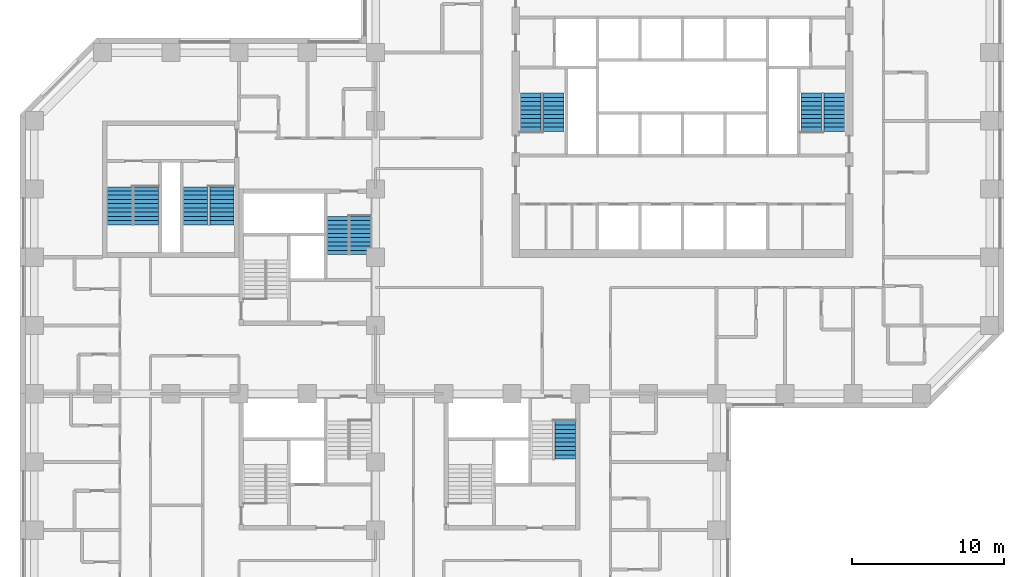
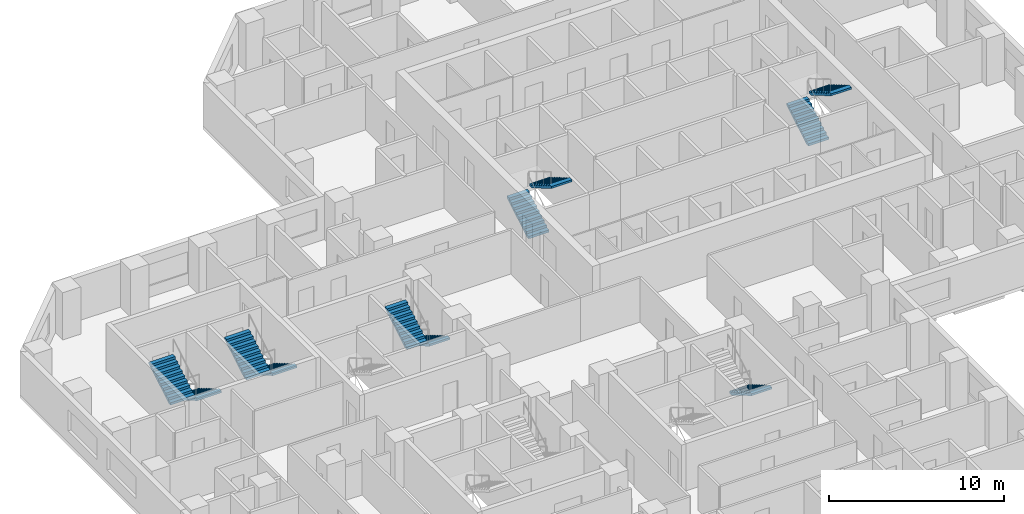
# One storey, part 11 of 12: 11 stair flights, 6 elements without a shape of their own.
"""IFC4 building model written with IfcOpenShell, lengths in metres."""

from ifc_helpers import new_model, si_unit, direction, frame, origin, place, context, subcontext, project, spatial, polyline, outline, extrude, material, type_object, element, aggregate, save


model = new_model("IFC4")

# Units and contexts
model_context = context("Model", 3, precision=1e-05, world=origin(), true_north=direction((0.0, 1.0)))
body_context = subcontext(model_context, "Body", "Model", "MODEL_VIEW")
ifc_project = project(units=[si_unit("LENGTHUNIT", "METRE"), si_unit("AREAUNIT", "SQUARE_METRE"), si_unit("VOLUMEUNIT", "CUBIC_METRE"), si_unit("PLANEANGLEUNIT", "RADIAN"), si_unit("MASSUNIT", "GRAM", prefix="KILO")], contexts=[model_context])

# Site, building, storey
site_placement = place(None, origin())
site = spatial("IfcSite", under=ifc_project, at=site_placement, CompositionType="ELEMENT")
building_placement = place(site_placement, origin())
building = spatial("IfcBuilding", under=site, at=building_placement, Name="Quoin Convention Tower", CompositionType="ELEMENT")
storey_placement = place(building_placement, frame((0.0, 0.0, 59.39990234375)))
storey = spatial("IfcBuildingStorey", under=building, at=storey_placement, Name="L15", CompositionType="ELEMENT", Elevation=59.39990234375)

# Stair, stair flights
ifc_material = material(Name="Concrete C40", Category="concrete")
stair_type_1 = type_object("IfcStairType", Name="Exit stair two-flight 1350", PredefinedType="HALF_TURN_STAIR", material=ifc_material)
stair_1_placement = place(storey_placement, origin())
stair_1 = element("IfcStair", 1, at=stair_1_placement, inside=storey, type_object=stair_type_1, Name="SD1 L15", PredefinedType="HALF_TURN_STAIR")
stair_flight_type_1 = type_object("IfcStairFlightType", Name="Stair flight 1350", PredefinedType="STRAIGHT", material=ifc_material)
stair_flight_1_placement = place(storey_placement, frame((46.25, 57.800048828125, 0.0), z_axis=(0.0, 0.0, 1.0), x_axis=(0.0, 1.0, 0.0)))
stair_flight_1 = element("IfcStairFlight", 2, at=stair_flight_1_placement, type_object=stair_flight_type_1, Name="ST1 flight 1", NumberOfRisers=10, NumberOfTreads=9, PredefinedType="STRAIGHT", RiserHeight=0.165, TreadLength=0.28, context=body_context, shape_type="SweptSolid", body=[
    extrude(outline(polyline([(0.0, 0.0), (0.0, 0.1650390625), (0.280029296875, 0.1650390625), (0.280029296875, 0.330078125), (0.56005859375, 0.330078125), (0.56005859375, 0.4951171875), (0.840087890625, 0.4951171875), (0.840087890625, 0.659912109375), (1.1201171875, 0.659912109375), (1.1201171875, 0.824951171875), (1.39990234375, 0.824951171875), (1.39990234375, 0.989990234375), (1.679931640625, 0.989990234375), (1.679931640625, 1.155029296875), (1.9599609375, 1.155029296875), (1.9599609375, 1.320068359375), (2.239990234375, 1.320068359375), (2.239990234375, 1.485107421875), (2.52001953125, 1.485107421875), (2.52001953125, 1.64990234375), (2.52001953125, 1.345458984375), (0.236572265625, 0.0), (0.0, 0.0)])), frame((0.0, 0.675048828125, 0.0), z_axis=(0.0, -1.0, 0.0), x_axis=(1.0, 0.0, 0.0)), (0.0, 0.0, 1.0), 1.35009765625),
])
stair_flight_2_placement = place(storey_placement, frame((47.75, 60.320068359375, 1.650146484375), z_axis=(0.0, 0.0, 1.0), x_axis=(0.0, -1.0, 0.0)))
stair_flight_2 = element("IfcStairFlight", 3, at=stair_flight_2_placement, type_object=stair_flight_type_1, Name="ST1 flight 2", NumberOfRisers=10, NumberOfTreads=9, PredefinedType="STRAIGHT", RiserHeight=0.165, TreadLength=0.28, context=body_context, shape_type="SweptSolid", body=[
    extrude(outline(polyline([(0.0, 0.0), (0.0, 0.1650390625), (0.280029296875, 0.1650390625), (0.280029296875, 0.330078125), (0.56005859375, 0.330078125), (0.56005859375, 0.4951171875), (0.840087890625, 0.4951171875), (0.840087890625, 0.659912109375), (1.1201171875, 0.659912109375), (1.1201171875, 0.824951171875), (1.39990234375, 0.824951171875), (1.39990234375, 0.989990234375), (1.679931640625, 0.989990234375), (1.679931640625, 1.155029296875), (1.9599609375, 1.155029296875), (1.9599609375, 1.320068359375), (2.239990234375, 1.320068359375), (2.239990234375, 1.485107421875), (2.52001953125, 1.485107421875), (2.52001953125, 1.64990234375), (2.52001953125, 1.345458984375), (0.236572265625, 0.0), (0.0, 0.0)])), frame((0.0, 0.675048828125, 0.0), z_axis=(0.0, -1.0, 0.0), x_axis=(1.0, 0.0, 0.0)), (0.0, 0.0, 1.0), 1.35009765625),
])
aggregate(stair_1, [stair_flight_1, stair_flight_2])

stair_2_placement = place(storey_placement, origin())
stair_2 = element("IfcStair", 4, at=stair_2_placement, inside=storey, type_object=stair_type_1, Name="SD2 L15", PredefinedType="HALF_TURN_STAIR")
stair_flight_3_placement = place(storey_placement, frame((64.75, 57.800048828125, 0.0), z_axis=(0.0, 0.0, 1.0), x_axis=(0.0, 1.0, 0.0)))
stair_flight_3 = element("IfcStairFlight", 5, at=stair_flight_3_placement, type_object=stair_flight_type_1, Name="ST2 flight 1", NumberOfRisers=10, NumberOfTreads=9, PredefinedType="STRAIGHT", RiserHeight=0.165, TreadLength=0.28, context=body_context, shape_type="SweptSolid", body=[
    extrude(outline(polyline([(0.0, 0.0), (0.0, 0.1650390625), (0.280029296875, 0.1650390625), (0.280029296875, 0.330078125), (0.56005859375, 0.330078125), (0.56005859375, 0.4951171875), (0.840087890625, 0.4951171875), (0.840087890625, 0.659912109375), (1.1201171875, 0.659912109375), (1.1201171875, 0.824951171875), (1.39990234375, 0.824951171875), (1.39990234375, 0.989990234375), (1.679931640625, 0.989990234375), (1.679931640625, 1.155029296875), (1.9599609375, 1.155029296875), (1.9599609375, 1.320068359375), (2.239990234375, 1.320068359375), (2.239990234375, 1.485107421875), (2.52001953125, 1.485107421875), (2.52001953125, 1.64990234375), (2.52001953125, 1.345458984375), (0.236572265625, 0.0), (0.0, 0.0)])), frame((0.0, 0.675048828125, 0.0), z_axis=(0.0, -1.0, 0.0), x_axis=(1.0, 0.0, 0.0)), (0.0, 0.0, 1.0), 1.35009765625),
])
stair_flight_4_placement = place(storey_placement, frame((66.25, 60.320068359375, 1.650146484375), z_axis=(0.0, 0.0, 1.0), x_axis=(0.0, -1.0, 0.0)))
stair_flight_4 = element("IfcStairFlight", 6, at=stair_flight_4_placement, type_object=stair_flight_type_1, Name="ST2 flight 2", NumberOfRisers=10, NumberOfTreads=9, PredefinedType="STRAIGHT", RiserHeight=0.165, TreadLength=0.28, context=body_context, shape_type="SweptSolid", body=[
    extrude(outline(polyline([(0.0, 0.0), (0.0, 0.1650390625), (0.280029296875, 0.1650390625), (0.280029296875, 0.330078125), (0.56005859375, 0.330078125), (0.56005859375, 0.4951171875), (0.840087890625, 0.4951171875), (0.840087890625, 0.659912109375), (1.1201171875, 0.659912109375), (1.1201171875, 0.824951171875), (1.39990234375, 0.824951171875), (1.39990234375, 0.989990234375), (1.679931640625, 0.989990234375), (1.679931640625, 1.155029296875), (1.9599609375, 1.155029296875), (1.9599609375, 1.320068359375), (2.239990234375, 1.320068359375), (2.239990234375, 1.485107421875), (2.52001953125, 1.485107421875), (2.52001953125, 1.64990234375), (2.52001953125, 1.345458984375), (0.236572265625, 0.0), (0.0, 0.0)])), frame((0.0, 0.675048828125, 0.0), z_axis=(0.0, -1.0, 0.0), x_axis=(1.0, 0.0, 0.0)), (0.0, 0.0, 1.0), 1.35009765625),
])
aggregate(stair_2, [stair_flight_3, stair_flight_4])

stair_3_placement = place(storey_placement, origin())
stair_3 = element("IfcStair", 7, at=stair_3_placement, inside=storey, type_object=stair_type_1, Name="SD4 L15", PredefinedType="HALF_TURN_STAIR")
stair_flight_5_placement = place(storey_placement, frame((35.0, 52.199951171875, 0.0), z_axis=(0.0, 0.0, 1.0), x_axis=(0.0, -1.0, 0.0)))
stair_flight_5 = element("IfcStairFlight", 8, at=stair_flight_5_placement, type_object=stair_flight_type_1, Name="ST4 flight 1", NumberOfRisers=10, NumberOfTreads=9, PredefinedType="STRAIGHT", RiserHeight=0.165, TreadLength=0.28, context=body_context, shape_type="SweptSolid", body=[
    extrude(outline(polyline([(0.0, 0.0), (0.0, 0.1650390625), (0.280029296875, 0.1650390625), (0.280029296875, 0.330078125), (0.56005859375, 0.330078125), (0.56005859375, 0.4951171875), (0.840087890625, 0.4951171875), (0.840087890625, 0.659912109375), (1.1201171875, 0.659912109375), (1.1201171875, 0.824951171875), (1.39990234375, 0.824951171875), (1.39990234375, 0.989990234375), (1.679931640625, 0.989990234375), (1.679931640625, 1.155029296875), (1.9599609375, 1.155029296875), (1.9599609375, 1.320068359375), (2.239990234375, 1.320068359375), (2.239990234375, 1.485107421875), (2.52001953125, 1.485107421875), (2.52001953125, 1.64990234375), (2.52001953125, 1.345458984375), (0.236572265625, 0.0), (0.0, 0.0)])), frame((0.0, 0.675048828125, 0.0), z_axis=(0.0, -1.0, 0.0), x_axis=(1.0, 0.0, 0.0)), (0.0, 0.0, 1.0), 1.35009765625),
])
stair_flight_6_placement = place(storey_placement, frame((33.5, 49.679931640625, 1.650146484375), z_axis=(0.0, 0.0, 1.0), x_axis=(0.0, 1.0, 0.0)))
stair_flight_6 = element("IfcStairFlight", 9, at=stair_flight_6_placement, type_object=stair_flight_type_1, Name="ST4 flight 2", NumberOfRisers=10, NumberOfTreads=9, PredefinedType="STRAIGHT", RiserHeight=0.165, TreadLength=0.28, context=body_context, shape_type="SweptSolid", body=[
    extrude(outline(polyline([(0.0, 0.0), (0.0, 0.1650390625), (0.280029296875, 0.1650390625), (0.280029296875, 0.330078125), (0.56005859375, 0.330078125), (0.56005859375, 0.4951171875), (0.840087890625, 0.4951171875), (0.840087890625, 0.659912109375), (1.1201171875, 0.659912109375), (1.1201171875, 0.824951171875), (1.39990234375, 0.824951171875), (1.39990234375, 0.989990234375), (1.679931640625, 0.989990234375), (1.679931640625, 1.155029296875), (1.9599609375, 1.155029296875), (1.9599609375, 1.320068359375), (2.239990234375, 1.320068359375), (2.239990234375, 1.485107421875), (2.52001953125, 1.485107421875), (2.52001953125, 1.64990234375), (2.52001953125, 1.345458984375), (0.236572265625, 0.0), (0.0, 0.0)])), frame((0.0, 0.675048828125, 0.0), z_axis=(0.0, -1.0, 0.0), x_axis=(1.0, 0.0, 0.0)), (0.0, 0.0, 1.0), 1.35009765625),
])
aggregate(stair_3, [stair_flight_5, stair_flight_6])

# Stair, stair flight
stair_4_placement = place(storey_placement, origin())
stair_4 = element("IfcStair", 10, at=stair_4_placement, inside=storey, type_object=stair_type_1, Name="SD6 L15", PredefinedType="HALF_TURN_STAIR")
stair_flight_7_placement = place(storey_placement, frame((48.5, 38.699951171875, 0.0), z_axis=(0.0, 0.0, 1.0), x_axis=(0.0, -1.0, 0.0)))
stair_flight_7 = element("IfcStairFlight", 11, at=stair_flight_7_placement, type_object=stair_flight_type_1, Name="ST6 flight 1", NumberOfRisers=10, NumberOfTreads=9, PredefinedType="STRAIGHT", RiserHeight=0.165, TreadLength=0.28, context=body_context, shape_type="SweptSolid", body=[
    extrude(outline(polyline([(0.0, 0.0), (0.0, 0.1650390625), (0.280029296875, 0.1650390625), (0.280029296875, 0.330078125), (0.56005859375, 0.330078125), (0.56005859375, 0.4951171875), (0.840087890625, 0.4951171875), (0.840087890625, 0.659912109375), (1.1201171875, 0.659912109375), (1.1201171875, 0.824951171875), (1.39990234375, 0.824951171875), (1.39990234375, 0.989990234375), (1.679931640625, 0.989990234375), (1.679931640625, 1.155029296875), (1.9599609375, 1.155029296875), (1.9599609375, 1.320068359375), (2.239990234375, 1.320068359375), (2.239990234375, 1.485107421875), (2.52001953125, 1.485107421875), (2.52001953125, 1.64990234375), (2.52001953125, 1.345458984375), (0.236572265625, 0.0), (0.0, 0.0)])), frame((0.0, 0.675048828125, 0.0), z_axis=(0.0, -1.0, 0.0), x_axis=(1.0, 0.0, 0.0)), (0.0, 0.0, 1.0), 1.35009765625),
])
aggregate(stair_4, [stair_flight_7])

# Stair, stair flights
stair_type_2 = type_object("IfcStairType", Name="Exit stair two-flight 1600", PredefinedType="HALF_TURN_STAIR", material=ifc_material)
stair_5_placement = place(storey_placement, origin())
stair_5 = element("IfcStair", 12, at=stair_5_placement, inside=storey, type_object=stair_type_2, Name="SD11 L15", PredefinedType="HALF_TURN_STAIR")
stair_flight_type_2 = type_object("IfcStairFlightType", Name="Stair flight 1600", PredefinedType="STRAIGHT", material=ifc_material)
stair_flight_8_placement = place(storey_placement, frame((20.875, 54.14990234375, 0.0), z_axis=(0.0, 0.0, 1.0), x_axis=(0.0, -1.0, 0.0)))
stair_flight_8 = element("IfcStairFlight", 13, at=stair_flight_8_placement, type_object=stair_flight_type_2, Name="ST11 flight 1", NumberOfRisers=10, NumberOfTreads=9, PredefinedType="STRAIGHT", RiserHeight=0.165, TreadLength=0.28, context=body_context, shape_type="SweptSolid", body=[
    extrude(outline(polyline([(0.0, 0.0), (0.0, 0.1650390625), (0.280029296875, 0.1650390625), (0.280029296875, 0.330078125), (0.56005859375, 0.330078125), (0.56005859375, 0.4951171875), (0.840087890625, 0.4951171875), (0.840087890625, 0.659912109375), (1.1201171875, 0.659912109375), (1.1201171875, 0.824951171875), (1.39990234375, 0.824951171875), (1.39990234375, 0.989990234375), (1.679931640625, 0.989990234375), (1.679931640625, 1.155029296875), (1.9599609375, 1.155029296875), (1.9599609375, 1.320068359375), (2.239990234375, 1.320068359375), (2.239990234375, 1.485107421875), (2.52001953125, 1.485107421875), (2.52001953125, 1.64990234375), (2.52001953125, 1.345458984375), (0.236572265625, 0.0), (0.0, 0.0)])), frame((0.0, 0.800048828125, 0.0), z_axis=(0.0, -1.0, 0.0), x_axis=(1.0, 0.0, 0.0)), (0.0, 0.0, 1.0), 1.60009765625),
])
stair_flight_9_placement = place(storey_placement, frame((19.125, 51.6298828125, 1.650146484375), z_axis=(0.0, 0.0, 1.0), x_axis=(0.0, 1.0, 0.0)))
stair_flight_9 = element("IfcStairFlight", 14, at=stair_flight_9_placement, type_object=stair_flight_type_2, Name="ST11 flight 2", NumberOfRisers=10, NumberOfTreads=9, PredefinedType="STRAIGHT", RiserHeight=0.165, TreadLength=0.28, context=body_context, shape_type="SweptSolid", body=[
    extrude(outline(polyline([(0.0, 0.0), (0.0, 0.1650390625), (0.280029296875, 0.1650390625), (0.280029296875, 0.330078125), (0.56005859375, 0.330078125), (0.56005859375, 0.4951171875), (0.840087890625, 0.4951171875), (0.840087890625, 0.659912109375), (1.1201171875, 0.659912109375), (1.1201171875, 0.824951171875), (1.39990234375, 0.824951171875), (1.39990234375, 0.989990234375), (1.679931640625, 0.989990234375), (1.679931640625, 1.155029296875), (1.9599609375, 1.155029296875), (1.9599609375, 1.320068359375), (2.239990234375, 1.320068359375), (2.239990234375, 1.485107421875), (2.52001953125, 1.485107421875), (2.52001953125, 1.64990234375), (2.52001953125, 1.345458984375), (0.236572265625, 0.0), (0.0, 0.0)])), frame((0.0, 0.800048828125, 0.0), z_axis=(0.0, -1.0, 0.0), x_axis=(1.0, 0.0, 0.0)), (0.0, 0.0, 1.0), 1.60009765625),
])
aggregate(stair_5, [stair_flight_8, stair_flight_9])

stair_6_placement = place(storey_placement, origin())
stair_6 = element("IfcStair", 15, at=stair_6_placement, inside=storey, type_object=stair_type_2, Name="SD12 L15", PredefinedType="HALF_TURN_STAIR")
stair_flight_10_placement = place(storey_placement, frame((25.875, 54.14990234375, 0.0), z_axis=(0.0, 0.0, 1.0), x_axis=(0.0, -1.0, 0.0)))
stair_flight_10 = element("IfcStairFlight", 16, at=stair_flight_10_placement, type_object=stair_flight_type_2, Name="ST12 flight 1", NumberOfRisers=10, NumberOfTreads=9, PredefinedType="STRAIGHT", RiserHeight=0.165, TreadLength=0.28, context=body_context, shape_type="SweptSolid", body=[
    extrude(outline(polyline([(0.0, 0.0), (0.0, 0.1650390625), (0.280029296875, 0.1650390625), (0.280029296875, 0.330078125), (0.56005859375, 0.330078125), (0.56005859375, 0.4951171875), (0.840087890625, 0.4951171875), (0.840087890625, 0.659912109375), (1.1201171875, 0.659912109375), (1.1201171875, 0.824951171875), (1.39990234375, 0.824951171875), (1.39990234375, 0.989990234375), (1.679931640625, 0.989990234375), (1.679931640625, 1.155029296875), (1.9599609375, 1.155029296875), (1.9599609375, 1.320068359375), (2.239990234375, 1.320068359375), (2.239990234375, 1.485107421875), (2.52001953125, 1.485107421875), (2.52001953125, 1.64990234375), (2.52001953125, 1.345458984375), (0.236572265625, 0.0), (0.0, 0.0)])), frame((0.0, 0.800048828125, 0.0), z_axis=(0.0, -1.0, 0.0), x_axis=(1.0, 0.0, 0.0)), (0.0, 0.0, 1.0), 1.60009765625),
])
stair_flight_11_placement = place(storey_placement, frame((24.125, 51.6298828125, 1.650146484375), z_axis=(0.0, 0.0, 1.0), x_axis=(0.0, 1.0, 0.0)))
stair_flight_11 = element("IfcStairFlight", 17, at=stair_flight_11_placement, type_object=stair_flight_type_2, Name="ST12 flight 2", NumberOfRisers=10, NumberOfTreads=9, PredefinedType="STRAIGHT", RiserHeight=0.165, TreadLength=0.28, context=body_context, shape_type="SweptSolid", body=[
    extrude(outline(polyline([(0.0, 0.0), (0.0, 0.1650390625), (0.280029296875, 0.1650390625), (0.280029296875, 0.330078125), (0.56005859375, 0.330078125), (0.56005859375, 0.4951171875), (0.840087890625, 0.4951171875), (0.840087890625, 0.659912109375), (1.1201171875, 0.659912109375), (1.1201171875, 0.824951171875), (1.39990234375, 0.824951171875), (1.39990234375, 0.989990234375), (1.679931640625, 0.989990234375), (1.679931640625, 1.155029296875), (1.9599609375, 1.155029296875), (1.9599609375, 1.320068359375), (2.239990234375, 1.320068359375), (2.239990234375, 1.485107421875), (2.52001953125, 1.485107421875), (2.52001953125, 1.64990234375), (2.52001953125, 1.345458984375), (0.236572265625, 0.0), (0.0, 0.0)])), frame((0.0, 0.800048828125, 0.0), z_axis=(0.0, -1.0, 0.0), x_axis=(1.0, 0.0, 0.0)), (0.0, 0.0, 1.0), 1.60009765625),
])
aggregate(stair_6, [stair_flight_10, stair_flight_11])

save(model, "model.ifc")
